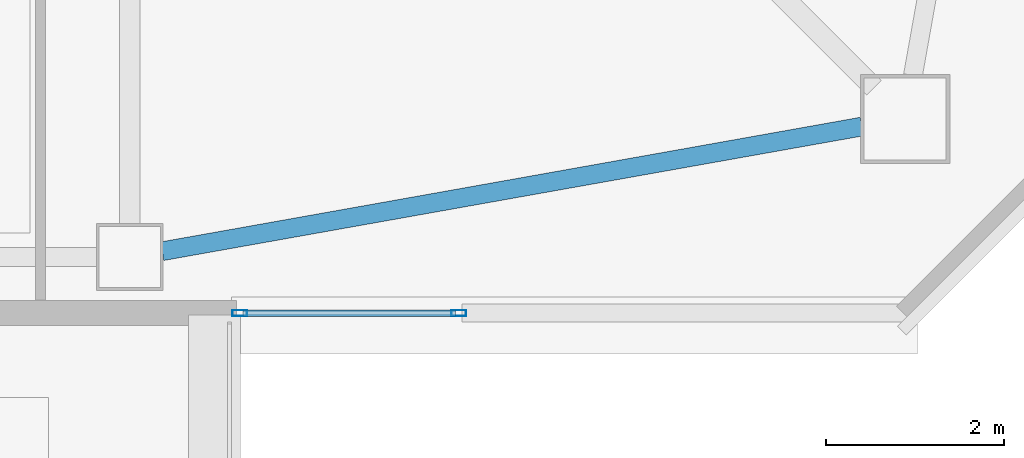
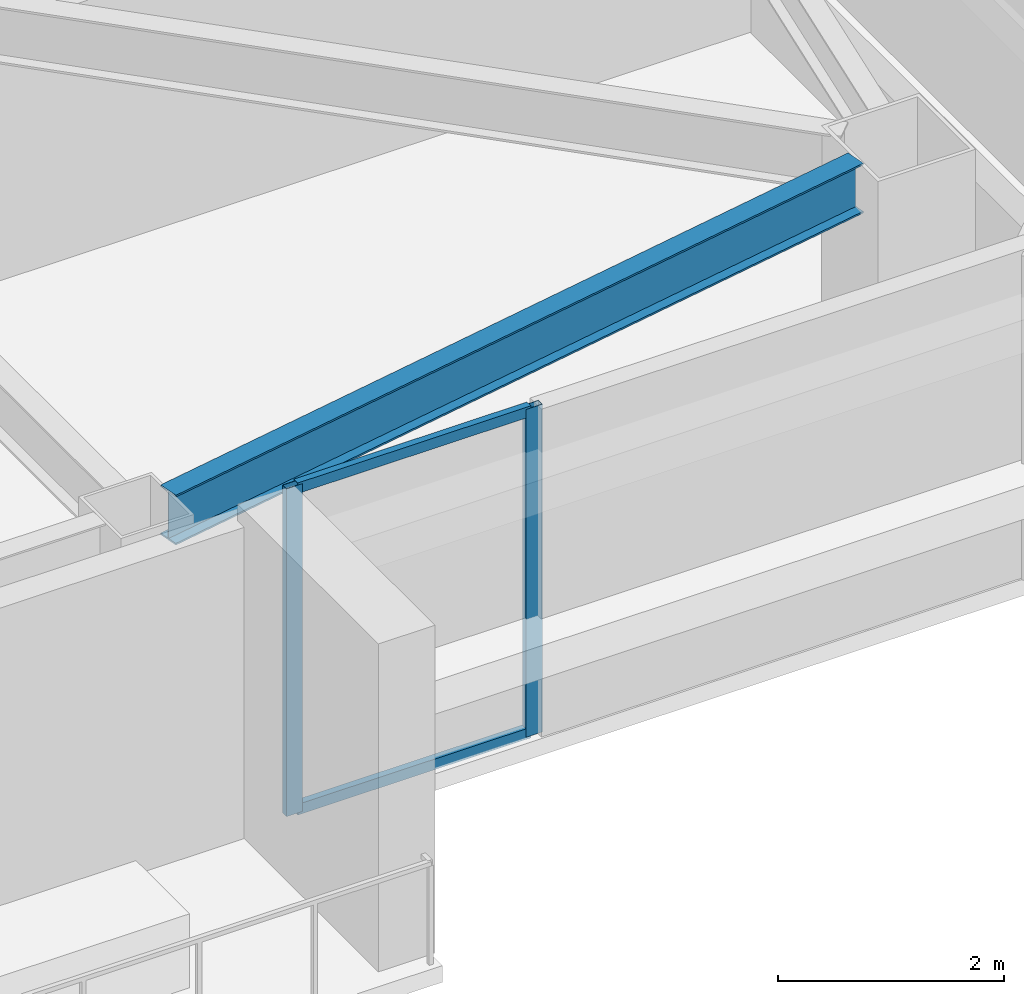
# One storey, part 7 of 39: 4 members, 1 beam, 1 element without a shape of its own.
"""IFC4 building model written with IfcOpenShell, lengths in metres."""

from ifc_helpers import new_model, si_unit, direction, frame, origin, origin_2d, place, context, subcontext, project, spatial, hollow_rectangle, i_section, extrude, material, material_profile, profile_set, type_object, element, aggregate, save


model = new_model("IFC4")

# Units and contexts
model_context = context("Model", 3, precision=1e-05, world=origin(), true_north=direction((0.0, 1.0)))
body_context = subcontext(model_context, "Body", "Model", "MODEL_VIEW")
ifc_project = project(units=[si_unit("LENGTHUNIT", "METRE"), si_unit("AREAUNIT", "SQUARE_METRE"), si_unit("VOLUMEUNIT", "CUBIC_METRE"), si_unit("PLANEANGLEUNIT", "RADIAN"), si_unit("MASSUNIT", "GRAM", prefix="KILO")], contexts=[model_context])

# Site, building, storey
site_placement = place(None, origin())
site = spatial("IfcSite", under=ifc_project, at=site_placement, CompositionType="ELEMENT")
building_placement = place(site_placement, origin())
building = spatial("IfcBuilding", under=site, at=building_placement, Name="Tashvorn Skyway Center", CompositionType="ELEMENT")
storey_placement = place(building_placement, frame((0.0, 0.0, 225.5)))
storey = spatial("IfcBuildingStorey", under=building, at=storey_placement, Name="L61", CompositionType="ELEMENT", Elevation=225.5)

# Beam
ifc_material_1 = material(Name="Steel ASTM A992 Grade 50", Category="steel")
ifc_material_profile_1 = material_profile(ifc_material_1, i_section(OverallWidth=0.2109375, OverallDepth=0.5390625, WebThickness=0.01171875, FlangeThickness=0.018798828125, at=origin_2d()), Name="W21X73")
ifc_profile_set_1 = profile_set([ifc_material_profile_1], Name="Steel ASTM A992 Grade 50")
beam_type = type_object("IfcBeamType", Name="BM-SPANDREL-W21X73", PredefinedType="SPANDREL", material=ifc_profile_set_1)
beam_placement = place(storey_placement, frame((47.76416015625, 16.414794921875, 3.1005859375), z_axis=(0.984494883191, 0.17541329759, 0.0), x_axis=(-0.17541329759, 0.984494883191, 0.0)))
element("IfcBeam", 1, at=beam_placement, inside=storey, type_object=beam_type, Name="Tower 1 L61 Spandrel Beam 03", PredefinedType="SPANDREL", context=body_context, shape_type="SweptSolid", body=[
    extrude(i_section(OverallWidth=0.2109375, OverallDepth=0.5390625, WebThickness=0.01171875, FlangeThickness=0.018798828125, at=origin_2d()), origin(), (0.0, 0.0, 1.0), 7.97216796875),
])

# Curtain wall, members
ifc_material_2 = material(Name="Thermally broken bronze-anodized aluminium 6063-T6", Category="aluminium")
curtain_wall_type = type_object("IfcCurtainWallType", Name="CW-CW-Z5", PredefinedType="NOTDEFINED", material=ifc_material_2)
curtain_wall_placement = place(storey_placement, origin())
curtain_wall = element("IfcCurtainWall", 2, at=curtain_wall_placement, inside=storey, type_object=curtain_wall_type, Name="Tower 1 L61 South Curtain Wall L Glazing Group 1", PredefinedType="NOTDEFINED")
ifc_material_profile_2 = material_profile(ifc_material_2, hollow_rectangle(XDim=0.070068359375, YDim=0.1650390625, WallThickness=0.00390625, at=origin_2d()), Name="ALU-MULL-70x165")
ifc_profile_set_2 = profile_set([ifc_material_profile_2], Name="Thermally broken bronze-anodized aluminium 6063-T6")
member_type_1 = type_object("IfcMemberType", Name="CWM-CW-Z5", PredefinedType="MULLION", material=ifc_profile_set_2)
member_1_placement = place(storey_placement, frame((51.091796875, 15.719970703125, 0.0), z_axis=(0.0, 0.0, 1.0), x_axis=(0.0, -1.0, 0.0)))
member_1 = element("IfcMember", 3, at=member_1_placement, type_object=member_type_1, Name="CW-Z5 mullion 1", PredefinedType="MULLION", context=body_context, shape_type="SweptSolid", body=[
    extrude(hollow_rectangle(XDim=0.070068359375, YDim=0.1650390625, WallThickness=0.00390625, at=origin_2d()), origin(), (0.0, 0.0, 1.0), 3.550048828125),
])
member_2_placement = place(storey_placement, frame((48.635009765625, 15.719970703125, 0.0), z_axis=(0.0, 0.0, 1.0), x_axis=(0.0, -1.0, 0.0)))
member_2 = element("IfcMember", 4, at=member_2_placement, type_object=member_type_1, Name="CW-Z5 mullion 2", PredefinedType="MULLION", context=body_context, shape_type="SweptSolid", body=[
    extrude(hollow_rectangle(XDim=0.070068359375, YDim=0.1650390625, WallThickness=0.00390625, at=origin_2d()), origin(), (0.0, 0.0, 1.0), 3.550048828125),
])
ifc_material_profile_3 = material_profile(ifc_material_2, hollow_rectangle(XDim=0.070068359375, YDim=0.114990234375, WallThickness=0.00390625, at=origin_2d()), Name="ALU-TRAN-70x115")
ifc_profile_set_3 = profile_set([ifc_material_profile_3], Name="Thermally broken bronze-anodized aluminium 6063-T6")
member_type_2 = type_object("IfcMemberType", Name="CWT-CW-Z5", PredefinedType="USERDEFINED", material=ifc_profile_set_3)
member_3_placement = place(storey_placement, frame((51.056640625, 15.719970703125, 0.034912109375), z_axis=(-1.0, 0.0, 0.0), x_axis=(0.0, -1.0, 0.0)))
member_3 = element("IfcMember", 5, at=member_3_placement, type_object=member_type_2, Name="CW-Z5 transom 1.1", ObjectType="TRANSOM", PredefinedType="USERDEFINED", context=body_context, shape_type="SweptSolid", body=[
    extrude(hollow_rectangle(XDim=0.070068359375, YDim=0.114990234375, WallThickness=0.00390625, at=origin_2d()), origin(), (0.0, 0.0, 1.0), 2.38671875),
])
member_4_placement = place(storey_placement, frame((51.056640625, 15.719970703125, 3.514892578125), z_axis=(-1.0, 0.0, 0.0), x_axis=(0.0, -1.0, 0.0)))
member_4 = element("IfcMember", 6, at=member_4_placement, type_object=member_type_2, Name="CW-Z5 transom 1.2", ObjectType="TRANSOM", PredefinedType="USERDEFINED", context=body_context, shape_type="SweptSolid", body=[
    extrude(hollow_rectangle(XDim=0.070068359375, YDim=0.114990234375, WallThickness=0.00390625, at=origin_2d()), origin(), (0.0, 0.0, 1.0), 2.38671875),
])
aggregate(curtain_wall, [member_1, member_2, member_3, member_4])

save(model, "model.ifc")
